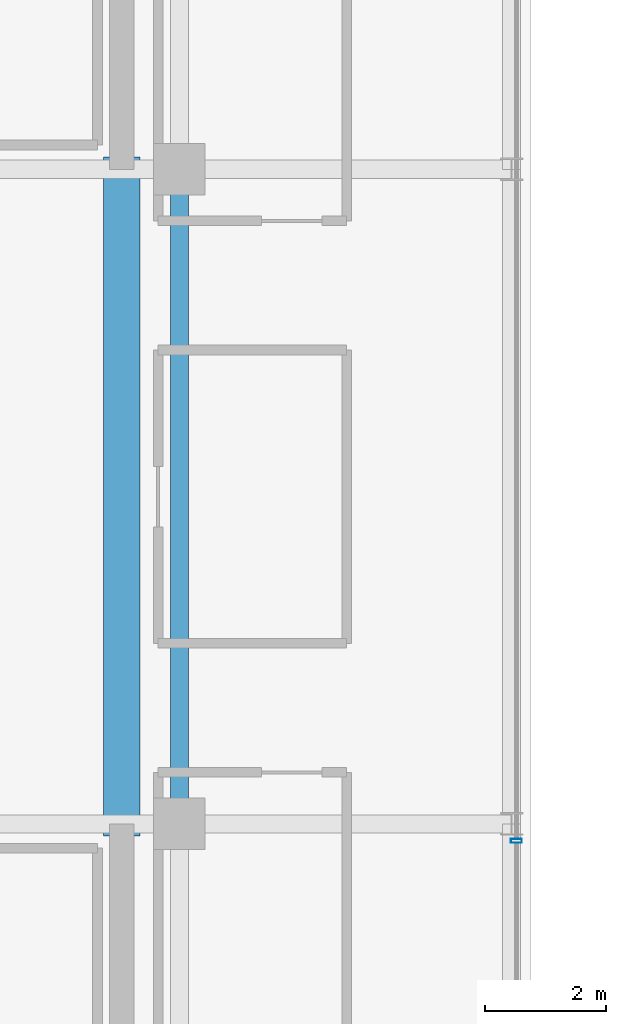
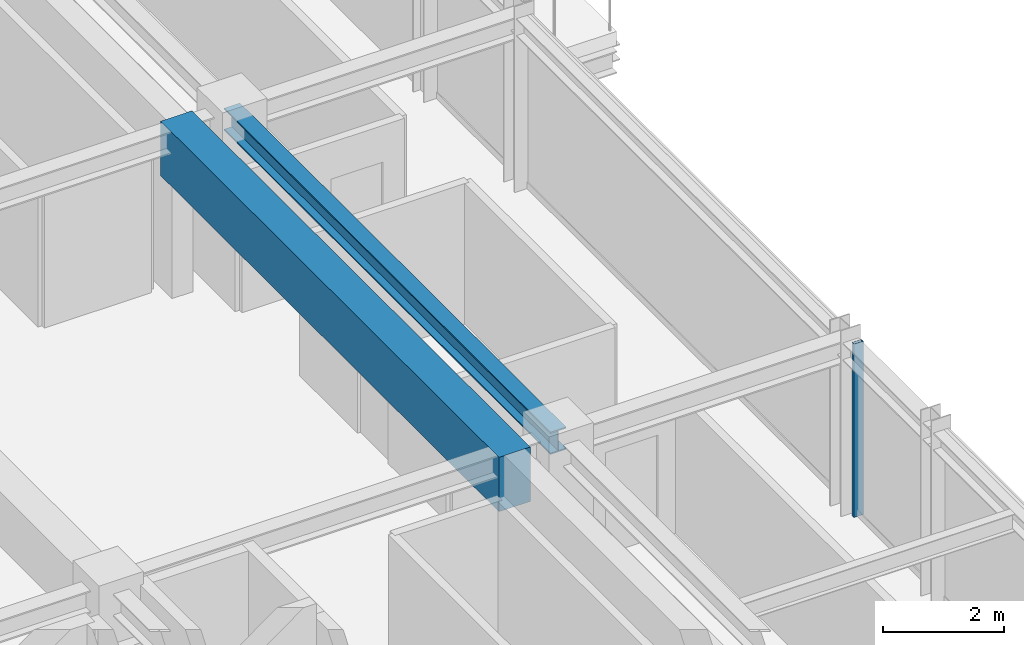
# One storey, part 13 of 32: 2 beams, 1 member, 1 element without a shape of its own.
"""IFC4 building model written with IfcOpenShell, lengths in metres."""

import ifcopenshell
import ifcopenshell.guid

model = None  # the IFC model being written
_history = None  # IfcOwnerHistory: only IFC2X3 demands one
_inside = {}  # id of a spatial element -> (the spatial element, [elements in it])
_under = {}  # id of a project, library or spatial element -> (it, [spatial elements below it])
_declared = {}  # id of a project -> (the project, [libraries it declares])
_typed = {}  # id of a type object -> (the type object, [elements of that type])
_made_of = {}  # id of a material, layer set ... -> (it, [elements and type objects made of it])


def new_model(schema):
    """Start an empty IFC model of exactly this schema.

    Asked for "IFC4X3", IfcOpenShell would pick the latest addendum, in which some entities
    have other attributes; the version numbers below select the first issue.
    IFC2X3 requires an IfcOwnerHistory on every rooted entity: one is made here for all.
    """
    global model, _history
    if schema == "IFC4X3":
        model = ifcopenshell.file(schema_version=(4, 3, 0, 0))
    else:
        model = ifcopenshell.file(schema=schema)
    _inside.clear()
    _under.clear()
    _declared.clear()
    _typed.clear()
    _made_of.clear()
    _history = None
    if model.schema == "IFC2X3":
        org = make("IfcOrganization", Name="unknown")
        user = make(
            "IfcPersonAndOrganization",
            ThePerson=make("IfcPerson", FamilyName="unknown"),
            TheOrganization=org,
        )
        app = make(
            "IfcApplication",
            ApplicationDeveloper=org,
            Version="unknown",
            ApplicationFullName="unknown",
            ApplicationIdentifier="unknown",
        )
        _history = make(
            "IfcOwnerHistory",
            OwningUser=user,
            OwningApplication=app,
            ChangeAction="ADDED",
            CreationDate=0,
        )
    return model


def make(cls, **values):
    """One entity of the class cls with the attributes given. An attribute that is None is left unset."""
    return model.create_entity(
        cls, **{name: value for name, value in values.items() if value is not None}
    )


def rooted(cls, **values):
    """An entity with a GlobalId (a new one), such as an element, a storey or a relation."""
    return make(cls, GlobalId=ifcopenshell.guid.new(), OwnerHistory=_history, **values)


def si_unit(unit_type, name, prefix=None):
    """IfcSIUnit, for example si_unit("LENGTHUNIT", "METRE", prefix="MILLI")."""
    return make("IfcSIUnit", UnitType=unit_type, Prefix=prefix, Name=name)


def assignment(units):
    """IfcUnitAssignment: the units of a project."""
    return None if units is None else make("IfcUnitAssignment", Units=units)


def point(xyz):
    """IfcCartesianPoint."""
    return None if xyz is None else make("IfcCartesianPoint", Coordinates=xyz)


def direction(xyz):
    """IfcDirection."""
    return None if xyz is None else make("IfcDirection", DirectionRatios=xyz)


def frame(location, z_axis=None, x_axis=None):
    """IfcAxis2Placement3D, a coordinate frame: its origin and axes. An axis left out is left unset."""
    return make(
        "IfcAxis2Placement3D",
        Location=point(location),
        Axis=direction(z_axis),
        RefDirection=direction(x_axis),
    )


def frame_2d(location, x_axis=None):
    """IfcAxis2Placement2D, a coordinate frame in the plane: its origin and x axis."""
    return make(
        "IfcAxis2Placement2D", Location=point(location), RefDirection=direction(x_axis)
    )


def origin():
    """The frame at (0, 0, 0) with its axes left unset."""
    return frame((0.0, 0.0, 0.0))


def origin_2d():
    """The frame at (0, 0) in the plane with its x axis left unset."""
    return frame_2d((0.0, 0.0))


def place(relative_to, where):
    """IfcLocalPlacement: puts the frame where relative to a parent placement (None: the world)."""
    return make(
        "IfcLocalPlacement", PlacementRelTo=relative_to, RelativePlacement=where
    )


def context(
    kind, dimensions, precision=None, world=None, true_north=None, identifier=None
):
    """IfcGeometricRepresentationContext, for example the 3D "Model" context."""
    return make(
        "IfcGeometricRepresentationContext",
        ContextIdentifier=identifier,
        ContextType=kind,
        CoordinateSpaceDimension=dimensions,
        Precision=precision,
        WorldCoordinateSystem=world,
        TrueNorth=true_north,
    )


def subcontext(parent, identifier, kind, view, scale=None):
    """IfcGeometricRepresentationSubContext, for example "Body" below "Model"."""
    return make(
        "IfcGeometricRepresentationSubContext",
        ContextIdentifier=identifier,
        ContextType=kind,
        ParentContext=parent,
        TargetScale=scale,
        TargetView=view,
    )


def project(units=None, contexts=None):
    """IfcProject with its units and contexts."""
    return rooted(
        "IfcProject",
        Name="project",
        RepresentationContexts=contexts,
        UnitsInContext=assignment(units),
    )


def spatial(cls, under=None, at=None, **own):
    """A site, building, storey or space (cls), placed at a placement, below another one or the project."""
    s = rooted(cls, ObjectPlacement=at, **own)
    if under is not None:
        _under.setdefault(under.id(), (under, []))[1].append(s)
    return s


def profile(cls, at=None, kind="AREA", **sizes):
    """A parametric profile (cls). Its sizes go by their IFC names, for example OverallWidth=200.0."""
    return make(cls, ProfileType=kind, Position=at, **sizes)


def rectangle(**sizes):
    """IfcRectangleProfileDef."""
    return profile("IfcRectangleProfileDef", **sizes)


def hollow_rectangle(**sizes):
    """IfcRectangleHollowProfileDef."""
    return profile("IfcRectangleHollowProfileDef", **sizes)


def i_section(**sizes):
    """IfcIShapeProfileDef."""
    return profile("IfcIShapeProfileDef", **sizes)


def extrude(swept, where, along, depth):
    """IfcExtrudedAreaSolid: the profile swept, set in the frame where, extruded along a direction by depth."""
    return make(
        "IfcExtrudedAreaSolid",
        SweptArea=swept,
        Position=where,
        ExtrudedDirection=direction(along),
        Depth=depth,
    )


def shape(context_of_items, identifier, shape_type, items):
    """IfcShapeRepresentation: the items that make up one representation, for example the "Body"."""
    return make(
        "IfcShapeRepresentation",
        ContextOfItems=context_of_items,
        RepresentationIdentifier=identifier,
        RepresentationType=shape_type,
        Items=items,
    )


def source(mapping_origin, context_of_items, identifier, shape_type, items):
    """IfcRepresentationMap: a shape defined once, which mapped items show again and again."""
    return make(
        "IfcRepresentationMap",
        MappingOrigin=mapping_origin,
        MappedRepresentation=shape(context_of_items, identifier, shape_type, items),
    )


def transform(
    local_origin,
    x_axis=None,
    y_axis=None,
    z_axis=None,
    scale=None,
    scale2=None,
    scale3=None,
    uniform=True,
):
    """IfcCartesianTransformationOperator3D, or its non-uniform kind. x_axis, y_axis, z_axis: its Axis1, 2, 3."""
    if uniform:
        return make(
            "IfcCartesianTransformationOperator3D",
            Axis1=direction(x_axis),
            Axis2=direction(y_axis),
            LocalOrigin=point(local_origin),
            Scale=scale,
            Axis3=direction(z_axis),
        )
    return make(
        "IfcCartesianTransformationOperator3DnonUniform",
        Axis1=direction(x_axis),
        Axis2=direction(y_axis),
        LocalOrigin=point(local_origin),
        Scale=scale,
        Axis3=direction(z_axis),
        Scale2=scale2,
        Scale3=scale3,
    )


def mapped(mapping_source, mapping_target):
    """IfcMappedItem: shows the shape of a source again, moved by a transform."""
    return make(
        "IfcMappedItem", MappingSource=mapping_source, MappingTarget=mapping_target
    )


def material(Name=None, Category=None):
    """IfcMaterial."""
    return make("IfcMaterial", Name=Name, Category=Category)


def material_profile(
    of_material, cross_section, Name=None, Category=None, Priority=None
):
    """IfcMaterialProfile: a cross section and its material."""
    return make(
        "IfcMaterialProfile",
        Name=Name,
        Material=of_material,
        Profile=cross_section,
        Priority=Priority,
        Category=Category,
    )


def profile_set(profiles, Name=None, composite=None):
    """IfcMaterialProfileSet."""
    return make(
        "IfcMaterialProfileSet",
        Name=Name,
        MaterialProfiles=profiles,
        CompositeProfile=composite,
    )


def made_of(thing, what):
    """Note that an element or type object is made of a material, layer set ...; save() writes the relation."""
    if what is not None:
        _made_of.setdefault(what.id(), (what, []))[1].append(thing)
    return thing


def type_object(cls, material=None, **own):
    """A type object (cls), such as IfcWallType, which elements share."""
    return made_of(rooted(cls, **own), material)


def element(
    cls,
    number,
    at=None,
    inside=None,
    cuts=None,
    type_object=None,
    material=None,
    context=None,
    identifier="Body",
    shape_type=None,
    held_by="IfcProductDefinitionShape",
    body=None,
    shapes=None,
    **own,
):
    """One element of the class cls, such as IfcWall. Its Tag is "e" and its number.

    at: its placement. inside: the storey or other place that contains it. cuts: it is an
    opening in that element (IfcRelVoidsElement). A single representation is given by context,
    identifier, shape_type and body (its items); several are given by shapes. held_by: the class
    of the entity that holds the representations. save() writes the other relations.
    """
    e = rooted(cls, Tag="e%d" % number, ObjectPlacement=at, **own)
    if body is not None:
        shapes = [shape(context, identifier, shape_type, body)]
    if shapes is not None:
        e.Representation = make(held_by, Representations=shapes)
    if inside is not None:
        _inside.setdefault(inside.id(), (inside, []))[1].append(e)
    if cuts is not None:
        rooted(
            "IfcRelVoidsElement", RelatingBuildingElement=cuts, RelatedOpeningElement=e
        )
    if type_object is not None:
        _typed.setdefault(type_object.id(), (type_object, []))[1].append(e)
    return made_of(e, material)


def aggregate(whole, parts):
    """IfcRelAggregates: a whole, such as a stair, and the parts it consists of."""
    return rooted("IfcRelAggregates", RelatingObject=whole, RelatedObjects=parts)


def save(model, path):
    """Write the relations noted so far, then the file.

    IfcRelAggregates (storeys below a building ...), IfcRelContainedInSpatialStructure (elements
    in a storey), IfcRelDefinesByType, IfcRelAssociatesMaterial and IfcRelDeclares: one each for
    every whole, place, type object, material and project.
    """
    for whole, parts in _under.values():
        aggregate(whole, parts)
    for where, things in _inside.values():
        rooted(
            "IfcRelContainedInSpatialStructure",
            RelatedElements=things,
            RelatingStructure=where,
        )
    for kind, things in _typed.values():
        rooted("IfcRelDefinesByType", RelatedObjects=things, RelatingType=kind)
    for what, things in _made_of.values():
        rooted("IfcRelAssociatesMaterial", RelatedObjects=things, RelatingMaterial=what)
    for by, libraries in _declared.values():
        rooted("IfcRelDeclares", RelatingContext=by, RelatedDefinitions=libraries)
    model.write(path)


model = new_model("IFC4")

# Units and contexts
model_context = context("Model", 3, precision=1e-05, world=origin(), true_north=direction((0.0, 1.0)))
body_context = subcontext(model_context, "Body", "Model", "MODEL_VIEW")
ifc_project = project(units=[si_unit("LENGTHUNIT", "METRE"), si_unit("AREAUNIT", "SQUARE_METRE"), si_unit("VOLUMEUNIT", "CUBIC_METRE"), si_unit("PLANEANGLEUNIT", "RADIAN"), si_unit("MASSUNIT", "GRAM", prefix="KILO")], contexts=[model_context])

# Site, building, storey
site_placement = place(None, origin())
site = spatial("IfcSite", under=ifc_project, at=site_placement, CompositionType="ELEMENT")
building_placement = place(site_placement, origin())
building = spatial("IfcBuilding", under=site, at=building_placement, Name="Nahalor Promenade Grand Hotel", CompositionType="ELEMENT")
storey_placement = place(building_placement, frame((0.0, 0.0, 330.949951171875)))
storey = spatial("IfcBuildingStorey", under=building, at=storey_placement, Name="L85", CompositionType="ELEMENT", Elevation=330.949951171875)

# Beams
ifc_material_1 = material(Name="Concrete B-60 (C50/60)", Category="concrete")
ifc_material_profile_1 = material_profile(ifc_material_1, rectangle(XDim=0.6, YDim=1.1, at=origin_2d()), Name="RC 600x1100")
ifc_profile_set_1 = profile_set([ifc_material_profile_1], Name="Concrete B-60 (C50/60)")
beam_type_1 = type_object("IfcBeamType", Name="Beam-Lintel-RC1100", PredefinedType="LINTEL", material=ifc_profile_set_1)
shared_shape_1 = source(origin(), body_context, "Body", "SweptSolid", [
    extrude(rectangle(XDim=0.6, YDim=1.1, at=origin_2d()), origin(), (0.0, 0.0, 1.0), 11.2001953125),
])
beam_1_placement = place(storey_placement, frame((16.050048828125, -5.60009765625, 2.949951171875), z_axis=(0.0, 1.0, 0.0), x_axis=(-1.0, 0.0, 0.0)))
element("IfcBeam", 1, at=beam_1_placement, inside=storey, type_object=beam_type_1, Name="BM-L85-LINT-E", PredefinedType="LINTEL", context=body_context, shape_type="MappedRepresentation", body=[
    mapped(shared_shape_1, transform((0.0, 0.0, 0.0), scale=1.0)),
])
ifc_material_2 = material(Name="Steel S355JR", Category="steel")
ifc_material_profile_2 = material_profile(ifc_material_2, i_section(OverallWidth=0.3, OverallDepth=0.45, WebThickness=0.014, FlangeThickness=0.026, at=origin_2d()), Name="HEB 450")
ifc_profile_set_2 = profile_set([ifc_material_profile_2], Name="Steel S355JR")
beam_type_2 = type_object("IfcBeamType", Name="Beam-Girder-HEB450", PredefinedType="BEAM", material=ifc_profile_set_2)
shared_shape_2 = source(origin(), body_context, "Body", "SweptSolid", [
    extrude(i_section(OverallWidth=0.3, OverallDepth=0.45, WebThickness=0.014, FlangeThickness=0.026, at=origin_2d()), origin(), (0.0, 0.0, 1.0), 10.7998046875),
])
beam_2_placement = place(storey_placement, frame((17.0, -5.39990234375, 3.275146484375), z_axis=(0.0, 1.0, 0.0), x_axis=(-1.0, 0.0, 0.0)))
element("IfcBeam", 2, at=beam_2_placement, inside=storey, type_object=beam_type_2, Name="BM-L85-GY-5-2", PredefinedType="BEAM", context=body_context, shape_type="MappedRepresentation", body=[
    mapped(shared_shape_2, transform((0.0, 0.0, 0.0), scale=1.0)),
])

# Curtain wall, member
ifc_material_3 = material(Name="Anodised Bronze Aluminium EN AW-6063 T6", Category="aluminium")
curtain_wall_type = type_object("IfcCurtainWallType", Name="CW2 Typical Hotel Flush Bronze Unitised Curtain Wall", PredefinedType="USERDEFINED", material=ifc_material_3)
curtain_wall_placement = place(storey_placement, origin())
curtain_wall = element("IfcCurtainWall", 3, at=curtain_wall_placement, inside=storey, type_object=curtain_wall_type, Name="L85 Curtain Wall CW-L85-E-1", ObjectType="UNITISED_CURTAIN_WALL", PredefinedType="USERDEFINED")
ifc_material_profile_3 = material_profile(ifc_material_3, hollow_rectangle(XDim=0.065, YDim=0.18, WallThickness=0.004, at=origin_2d()), Name="CWM 65x180x4")
ifc_profile_set_3 = profile_set([ifc_material_profile_3], Name="Anodised Bronze Aluminium EN AW-6063 T6")
member_type = type_object("IfcMemberType", Name="CWM2 Typical Bronze Mullion 65x180", PredefinedType="MULLION", material=ifc_profile_set_3)
shared_shape_3 = source(origin(), body_context, "Body", "SweptSolid", [
    extrude(hollow_rectangle(XDim=0.065, YDim=0.18, WallThickness=0.004, at=origin_2d()), origin(), (0.0, 0.0, 1.0), 3.5),
])
member_placement = place(storey_placement, frame((22.56005859375, -5.679931640625, 0.0), z_axis=(0.0, 0.0, 1.0), x_axis=(0.0, 1.0, 0.0)))
member = element("IfcMember", 4, at=member_placement, type_object=member_type, Name="CW-L85-E-1 Mullion 1", PredefinedType="MULLION", context=body_context, shape_type="MappedRepresentation", body=[
    mapped(shared_shape_3, transform((0.0, 0.0, 0.0), scale=1.0)),
])
aggregate(curtain_wall, [member])

save(model, "model.ifc")
